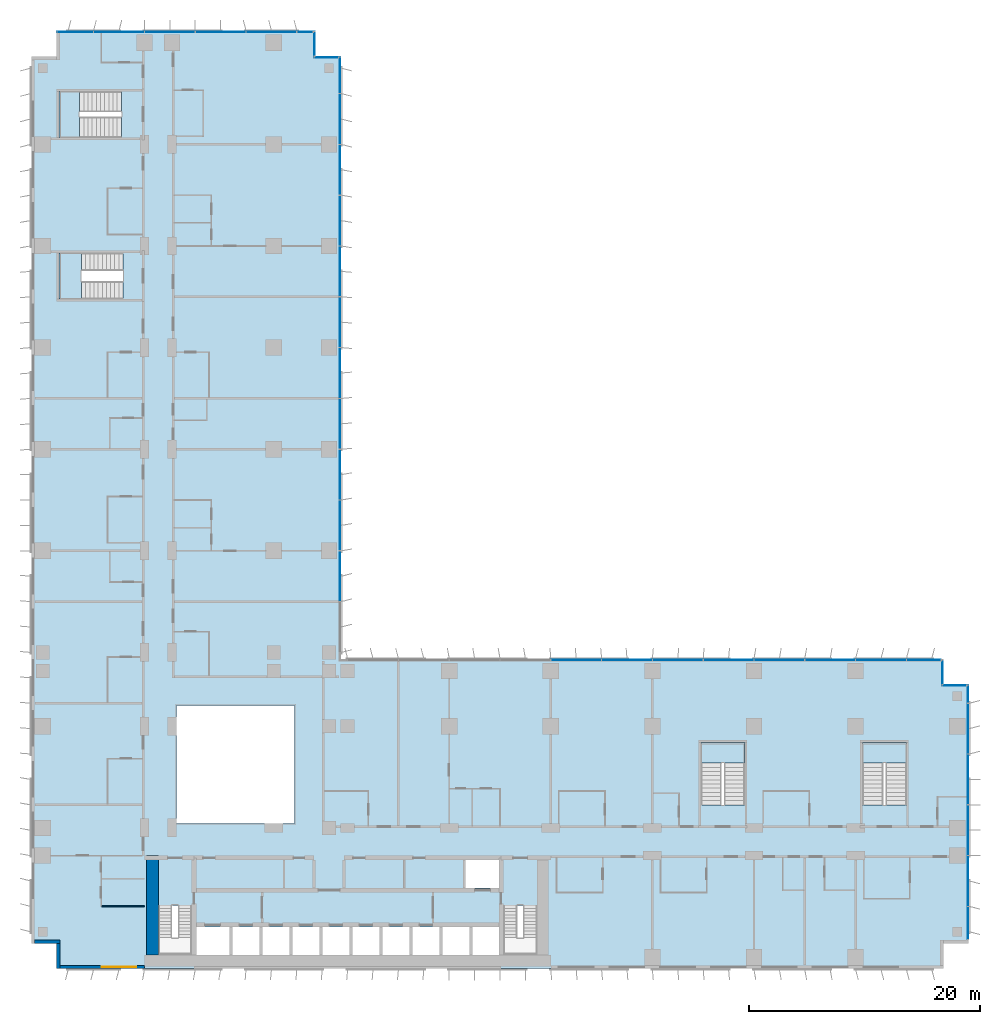
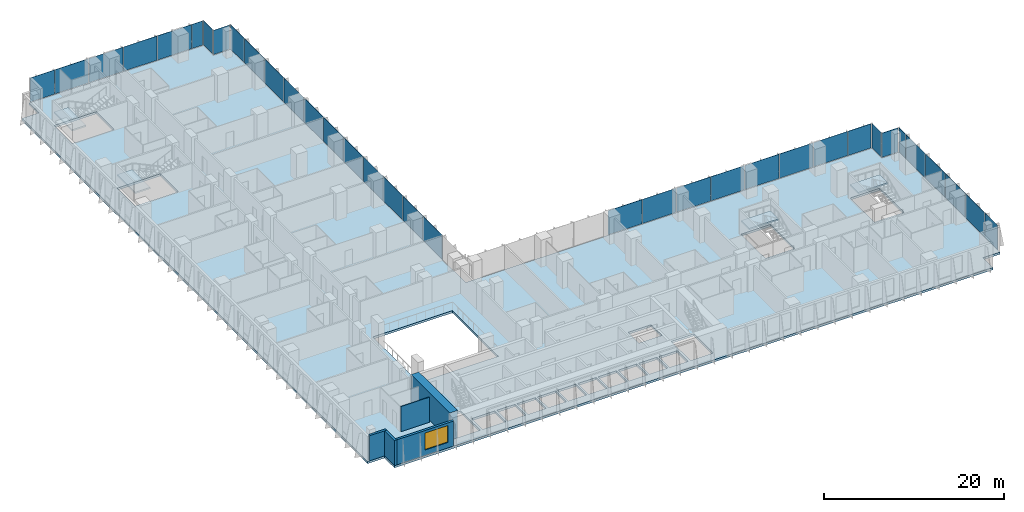
# One storey, part 11 of 24: 35 plates, 5 slabs, 5 walls, 1 window, 1 opening, 12 elements without a shape of their own.
"""IFC4 building model written with IfcOpenShell, lengths in metres."""

from ifc_helpers import new_model, si_unit, direction, frame, frame_2d, origin, origin_2d, place, context, subcontext, project, spatial, polyline, rectangle, outline, extrude, source, transform, mapped, material, layer, layer_set, type_object, element, fill, aggregate, save


model = new_model("IFC4")

# Units and contexts
model_context = context("Model", 3, precision=1e-05, world=origin(), true_north=direction((0.0, 1.0)))
body_context = subcontext(model_context, "Body", "Model", "MODEL_VIEW")
ifc_project = project(units=[si_unit("LENGTHUNIT", "METRE"), si_unit("AREAUNIT", "SQUARE_METRE"), si_unit("VOLUMEUNIT", "CUBIC_METRE"), si_unit("PLANEANGLEUNIT", "RADIAN"), si_unit("MASSUNIT", "GRAM", prefix="KILO")], contexts=[model_context])

# Site, building, storey
site_placement = place(None, origin())
site = spatial("IfcSite", under=ifc_project, at=site_placement, CompositionType="ELEMENT")
building_placement = place(site_placement, origin())
building = spatial("IfcBuilding", under=site, at=building_placement, Name="Kemantara Hotel Tower", CompositionType="ELEMENT")
storey_placement = place(building_placement, frame((0.0, 0.0, 41.39990234375)))
storey = spatial("IfcBuildingStorey", under=building, at=storey_placement, Name="L08", CompositionType="ELEMENT", Elevation=41.39990234375)

# Slab
ifc_material_1 = material(Name="Concrete fc 40 MPa", Category="concrete")
ifc_layer_1 = layer(ifc_material_1, 0.300048828125)
ifc_layer_set_1 = layer_set([ifc_layer_1], Name="Concrete fc 40 MPa")
slab_type_1 = type_object("IfcSlabType", Name="POST-TENSIONED FLAT PLATE 300", PredefinedType="FLOOR", material=ifc_layer_set_1)
slab_1_placement = place(storey_placement, frame((0.0, 0.0, -0.2998046875)))
element("IfcSlab", 1, at=slab_1_placement, inside=storey, type_object=slab_type_1, Name="FLOOR SLAB L08", PredefinedType="FLOOR", context=body_context, shape_type="SweptSolid", body=[
    extrude(outline(polyline([(0.0, 2.199951171875), (2.199951171875, 2.199951171875), (2.199951171875, 0.0), (79.0, 0.0), (79.0, 2.199951171875), (81.199951171875, 2.199951171875), (81.199951171875, 24.60009765625), (79.0, 24.60009765625), (79.0, 26.800048828125), (26.800048828125, 26.800048828125), (26.800048828125, 79.0), (24.60009765625, 79.0), (24.60009765625, 81.199951171875), (2.199951171875, 81.199951171875), (2.199951171875, 79.0), (0.0, 79.0), (0.0, 2.199951171875)]), holes=[polyline([(17.175048828125, 1.199951171875), (14.22509765625, 1.199951171875), (14.22509765625, 3.60009765625), (17.175048828125, 3.60009765625), (17.175048828125, 1.199951171875)]), polyline([(19.77490234375, 1.199951171875), (17.425048828125, 1.199951171875), (17.425048828125, 3.60009765625), (19.77490234375, 3.60009765625), (19.77490234375, 1.199951171875)]), polyline([(22.375, 1.199951171875), (20.02490234375, 1.199951171875), (20.02490234375, 3.60009765625), (22.375, 3.60009765625), (22.375, 1.199951171875)]), polyline([(24.97509765625, 1.199951171875), (22.625, 1.199951171875), (22.625, 3.60009765625), (24.97509765625, 3.60009765625), (24.97509765625, 1.199951171875)]), polyline([(27.574951171875, 1.199951171875), (25.22509765625, 1.199951171875), (25.22509765625, 3.60009765625), (27.574951171875, 3.60009765625), (27.574951171875, 1.199951171875)]), polyline([(11.0, 1.199951171875), (11.0, 5.49951171875), (13.89990234375, 5.49951171875), (13.89990234375, 1.199951171875), (11.0, 1.199951171875)]), polyline([(22.800048828125, 12.60009765625), (12.60009765625, 12.60009765625), (12.60009765625, 22.800048828125), (22.800048828125, 22.800048828125), (22.800048828125, 12.60009765625)]), polyline([(7.949462890625, 62.0), (7.949462890625, 58.0), (2.39990234375, 58.0), (2.39990234375, 62.0), (7.949462890625, 62.0)]), polyline([(7.79931640625, 76.0), (7.79931640625, 72.0), (2.39990234375, 72.0), (2.39990234375, 76.0), (7.79931640625, 76.0)]), polyline([(30.175048828125, 1.199951171875), (27.824951171875, 1.199951171875), (27.824951171875, 3.60009765625), (30.175048828125, 3.60009765625), (30.175048828125, 1.199951171875)]), polyline([(32.77490234375, 1.199951171875), (30.425048828125, 1.199951171875), (30.425048828125, 3.60009765625), (32.77490234375, 3.60009765625), (32.77490234375, 1.199951171875)]), polyline([(35.375, 1.199951171875), (33.02490234375, 1.199951171875), (33.02490234375, 3.60009765625), (35.375, 3.60009765625), (35.375, 1.199951171875)]), polyline([(37.97509765625, 1.199951171875), (35.625, 1.199951171875), (35.625, 3.60009765625), (37.97509765625, 3.60009765625), (37.97509765625, 1.199951171875)]), polyline([(40.574951171875, 1.199951171875), (38.22509765625, 1.199951171875), (38.22509765625, 3.60009765625), (40.574951171875, 3.60009765625), (40.574951171875, 1.199951171875)]), polyline([(40.89990234375, 1.199951171875), (40.89990234375, 5.49951171875), (43.800048828125, 5.49951171875), (43.800048828125, 1.199951171875), (40.89990234375, 1.199951171875)]), polyline([(40.574951171875, 7.0), (37.625, 7.0), (37.625, 9.39990234375), (40.574951171875, 9.39990234375), (40.574951171875, 7.0)]), polyline([(61.800048828125, 14.20068359375), (58.0, 14.20068359375), (58.0, 19.60009765625), (61.800048828125, 19.60009765625), (61.800048828125, 14.20068359375)]), polyline([(75.800048828125, 14.20068359375), (72.0, 14.20068359375), (72.0, 19.60009765625), (75.800048828125, 19.60009765625), (75.800048828125, 14.20068359375)])]), origin(), (0.0, 0.0, 1.0), 0.2998046875),
])

# Stair, slab
stair_type_1 = type_object("IfcStairType", Name="Stair 1800 wide 22 risers of 168 x 360 mm", PredefinedType="HALF_TURN_STAIR", material=ifc_material_1)
stair_1_placement = place(storey_placement, origin())
stair_1 = element("IfcStair", 2, at=stair_1_placement, inside=storey, type_object=stair_type_1, Name="L08 Exit stair ST3", PredefinedType="HALF_TURN_STAIR")
ifc_layer_2 = layer(ifc_material_1, 0.199951171875)
ifc_layer_set_2 = layer_set([ifc_layer_2], Name="Concrete fc 40 MPa")
slab_type_2 = type_object("IfcSlabType", Name="Stair landing 200 mm", PredefinedType="LANDING", material=ifc_layer_set_2)
slab_2_placement = place(storey_placement, frame((0.0, 0.0, 1.650146484375)))
slab_2 = element("IfcSlab", 3, at=slab_2_placement, type_object=slab_type_2, Name="ST3 landing 1", PredefinedType="LANDING", context=body_context, shape_type="SweptSolid", body=[
    extrude(outline(polyline([(61.800048828125, 17.800048828125), (61.800048828125, 19.60009765625), (58.0, 19.60009765625), (58.0, 17.800048828125), (61.800048828125, 17.800048828125)])), origin(), (0.0, 0.0, 1.0), 0.199951171875),
])
aggregate(stair_1, [slab_2])

stair_type_2 = type_object("IfcStairType", Name="Stair 1550 wide 22 risers of 168 x 360 mm", PredefinedType="HALF_TURN_STAIR", material=ifc_material_1)
stair_2_placement = place(storey_placement, origin())
stair_2 = element("IfcStair", 4, at=stair_2_placement, inside=storey, type_object=stair_type_2, Name="L08 Exit stair ST4", PredefinedType="HALF_TURN_STAIR")
slab_3_placement = place(storey_placement, frame((0.0, 0.0, 1.650146484375)))
slab_3 = element("IfcSlab", 5, at=slab_3_placement, type_object=slab_type_2, Name="ST4 landing 1", PredefinedType="LANDING", context=body_context, shape_type="SweptSolid", body=[
    extrude(outline(polyline([(4.35009765625, 62.0), (2.39990234375, 62.0), (2.39990234375, 58.0), (4.35009765625, 58.0), (4.35009765625, 62.0)])), origin(), (0.0, 0.0, 1.0), 0.199951171875),
])
aggregate(stair_2, [slab_3])

stair_3_placement = place(storey_placement, origin())
stair_3 = element("IfcStair", 6, at=stair_3_placement, inside=storey, type_object=stair_type_1, Name="L08 Exit stair ST5", PredefinedType="HALF_TURN_STAIR")
slab_4_placement = place(storey_placement, frame((0.0, 0.0, 1.650146484375)))
slab_4 = element("IfcSlab", 7, at=slab_4_placement, type_object=slab_type_2, Name="ST5 landing 1", PredefinedType="LANDING", context=body_context, shape_type="SweptSolid", body=[
    extrude(outline(polyline([(75.800048828125, 17.800048828125), (75.800048828125, 19.60009765625), (72.0, 19.60009765625), (72.0, 17.800048828125), (75.800048828125, 17.800048828125)])), origin(), (0.0, 0.0, 1.0), 0.199951171875),
])
aggregate(stair_3, [slab_4])

stair_4_placement = place(storey_placement, origin())
stair_4 = element("IfcStair", 8, at=stair_4_placement, inside=storey, type_object=stair_type_1, Name="L08 Exit stair ST6", PredefinedType="HALF_TURN_STAIR")
slab_5_placement = place(storey_placement, frame((0.0, 0.0, 1.650146484375)))
slab_5 = element("IfcSlab", 9, at=slab_5_placement, type_object=slab_type_2, Name="ST6 landing 1", PredefinedType="LANDING", context=body_context, shape_type="SweptSolid", body=[
    extrude(outline(polyline([(4.199951171875, 76.0), (2.39990234375, 76.0), (2.39990234375, 72.0), (4.199951171875, 72.0), (4.199951171875, 76.0)])), origin(), (0.0, 0.0, 1.0), 0.199951171875),
])
aggregate(stair_4, [slab_5])

# Curtain wall, plates
ifc_material_2 = material(Name="Low-E tinted double insulated glass 36 mm", Category="glass")
curtain_wall_type = type_object("IfcCurtainWallType", Name="TOWER CURTAIN WALL, FRONT FACES", PredefinedType="USERDEFINED", material=ifc_material_2)
curtain_wall_1_placement = place(storey_placement, origin())
curtain_wall_1 = element("IfcCurtainWall", 10, at=curtain_wall_1_placement, inside=storey, type_object=curtain_wall_type, Name="CW4 L08 T1-R04-1", ObjectType="TOWER CURTAIN WALL, FRONT FACES", PredefinedType="USERDEFINED")
ifc_layer_3 = layer(ifc_material_2, 0.035888671875)
ifc_layer_set_3 = layer_set([ifc_layer_3], Name="Low-E tinted double insulated glass 36 mm")
plate_type = type_object("IfcPlateType", Name="TOWER CURTAIN WALL, FRONT FACES PANEL", PredefinedType="CURTAIN_PANEL", material=ifc_layer_set_3)
shared_shape_1 = source(origin(), body_context, "Body", "SweptSolid", [
    extrude(rectangle(XDim=2.81005859375, YDim=0.035888671875, at=origin_2d()), origin(), (0.0, 0.0, 1.0), 3.280029296875),
])
plate_1_placement = place(storey_placement, frame((81.125, 3.965087890625, 0.1201171875), z_axis=(0.0, 0.0, 1.0), x_axis=(0.0, 1.0, 0.0)))
plate_1 = element("IfcPlate", 11, at=plate_1_placement, type_object=plate_type, Name="CW4 glass panel T1-R04-1.1", PredefinedType="CURTAIN_PANEL", context=body_context, shape_type="MappedRepresentation", body=[
    mapped(shared_shape_1, transform((0.0, 0.0, 0.0))),
])
shared_shape_2 = source(origin(), body_context, "Body", "SweptSolid", [
    extrude(rectangle(XDim=4.340087890625, YDim=0.035888671875, at=origin_2d()), origin(), (0.0, 0.0, 1.0), 3.280029296875),
])
plate_2_placement = place(storey_placement, frame((81.125, 7.60009765625, 0.1201171875), z_axis=(0.0, 0.0, 1.0), x_axis=(0.0, 1.0, 0.0)))
plate_2 = element("IfcPlate", 12, at=plate_2_placement, type_object=plate_type, Name="CW4 glass panel T1-R04-1.2", PredefinedType="CURTAIN_PANEL", context=body_context, shape_type="MappedRepresentation", body=[
    mapped(shared_shape_2, transform((0.0, 0.0, 0.0))),
])
plate_3_placement = place(storey_placement, frame((81.125, 12.0, 0.1201171875), z_axis=(0.0, 0.0, 1.0), x_axis=(0.0, 1.0, 0.0)))
plate_3 = element("IfcPlate", 13, at=plate_3_placement, type_object=plate_type, Name="CW4 glass panel T1-R04-1.3", PredefinedType="CURTAIN_PANEL", context=body_context, shape_type="MappedRepresentation", body=[
    mapped(shared_shape_2, transform((0.0, 0.0, 0.0))),
])
plate_4_placement = place(storey_placement, frame((81.125, 16.39990234375, 0.1201171875), z_axis=(0.0, 0.0, 1.0), x_axis=(0.0, 1.0, 0.0)))
plate_4 = element("IfcPlate", 14, at=plate_4_placement, type_object=plate_type, Name="CW4 glass panel T1-R04-1.4", PredefinedType="CURTAIN_PANEL", context=body_context, shape_type="MappedRepresentation", body=[
    mapped(shared_shape_2, transform((0.0, 0.0, 0.0))),
])
plate_5_placement = place(storey_placement, frame((81.125, 20.800048828125, 0.1201171875), z_axis=(0.0, 0.0, 1.0), x_axis=(0.0, 1.0, 0.0)))
plate_5 = element("IfcPlate", 15, at=plate_5_placement, type_object=plate_type, Name="CW4 glass panel T1-R04-1.5", PredefinedType="CURTAIN_PANEL", context=body_context, shape_type="MappedRepresentation", body=[
    mapped(shared_shape_2, transform((0.0, 0.0, 0.0))),
])

curtain_wall_2_placement = place(storey_placement, origin())
curtain_wall_2 = element("IfcCurtainWall", 16, at=curtain_wall_2_placement, inside=storey, type_object=curtain_wall_type, Name="CW4 L08 T1-R07-1", ObjectType="TOWER CURTAIN WALL, FRONT FACES", PredefinedType="USERDEFINED")
plate_6_placement = place(storey_placement, frame((73.60009765625, 26.72509765625, 0.1201171875), z_axis=(0.0, 0.0, 1.0), x_axis=(-1.0, 0.0, 0.0)))
plate_6 = element("IfcPlate", 17, at=plate_6_placement, type_object=plate_type, Name="CW4 glass panel T1-R07-1.2", PredefinedType="CURTAIN_PANEL", context=body_context, shape_type="MappedRepresentation", body=[
    mapped(shared_shape_2, transform((0.0, 0.0, 0.0))),
])
plate_7_placement = place(storey_placement, frame((69.199951171875, 26.72509765625, 0.1201171875), z_axis=(0.0, 0.0, 1.0), x_axis=(-1.0, 0.0, 0.0)))
plate_7 = element("IfcPlate", 18, at=plate_7_placement, type_object=plate_type, Name="CW4 glass panel T1-R07-1.3", PredefinedType="CURTAIN_PANEL", context=body_context, shape_type="MappedRepresentation", body=[
    mapped(shared_shape_2, transform((0.0, 0.0, 0.0))),
])
plate_8_placement = place(storey_placement, frame((64.800048828125, 26.72509765625, 0.1201171875), z_axis=(0.0, 0.0, 1.0), x_axis=(-1.0, 0.0, 0.0)))
plate_8 = element("IfcPlate", 19, at=plate_8_placement, type_object=plate_type, Name="CW4 glass panel T1-R07-1.4", PredefinedType="CURTAIN_PANEL", context=body_context, shape_type="MappedRepresentation", body=[
    mapped(shared_shape_2, transform((0.0, 0.0, 0.0))),
])
plate_9_placement = place(storey_placement, frame((60.39990234375, 26.72509765625, 0.1201171875), z_axis=(0.0, 0.0, 1.0), x_axis=(-1.0, 0.0, 0.0)))
plate_9 = element("IfcPlate", 20, at=plate_9_placement, type_object=plate_type, Name="CW4 glass panel T1-R07-1.5", PredefinedType="CURTAIN_PANEL", context=body_context, shape_type="MappedRepresentation", body=[
    mapped(shared_shape_2, transform((0.0, 0.0, 0.0))),
])
plate_10_placement = place(storey_placement, frame((56.0, 26.72509765625, 0.1201171875), z_axis=(0.0, 0.0, 1.0), x_axis=(-1.0, 0.0, 0.0)))
plate_10 = element("IfcPlate", 21, at=plate_10_placement, type_object=plate_type, Name="CW4 glass panel T1-R07-1.6", PredefinedType="CURTAIN_PANEL", context=body_context, shape_type="MappedRepresentation", body=[
    mapped(shared_shape_2, transform((0.0, 0.0, 0.0))),
])
plate_11_placement = place(storey_placement, frame((51.60009765625, 26.72509765625, 0.1201171875), z_axis=(0.0, 0.0, 1.0), x_axis=(-1.0, 0.0, 0.0)))
plate_11 = element("IfcPlate", 22, at=plate_11_placement, type_object=plate_type, Name="CW4 glass panel T1-R07-1.7", PredefinedType="CURTAIN_PANEL", context=body_context, shape_type="MappedRepresentation", body=[
    mapped(shared_shape_2, transform((0.0, 0.0, 0.0))),
])
plate_12_placement = place(storey_placement, frame((47.199951171875, 26.72509765625, 0.1201171875), z_axis=(0.0, 0.0, 1.0), x_axis=(-1.0, 0.0, 0.0)))
plate_12 = element("IfcPlate", 23, at=plate_12_placement, type_object=plate_type, Name="CW4 glass panel T1-R07-1.8", PredefinedType="CURTAIN_PANEL", context=body_context, shape_type="MappedRepresentation", body=[
    mapped(shared_shape_2, transform((0.0, 0.0, 0.0))),
])

curtain_wall_3_placement = place(storey_placement, origin())
curtain_wall_3 = element("IfcCurtainWall", 24, at=curtain_wall_3_placement, inside=storey, type_object=curtain_wall_type, Name="CW4 L08 T1-R08-1", ObjectType="TOWER CURTAIN WALL, FRONT FACES", PredefinedType="USERDEFINED")
plate_13_placement = place(storey_placement, frame((26.72509765625, 34.0, 0.1201171875), z_axis=(0.0, 0.0, 1.0), x_axis=(0.0, 1.0, 0.0)))
plate_13 = element("IfcPlate", 25, at=plate_13_placement, type_object=plate_type, Name="CW4 glass panel T1-R08-1.3", PredefinedType="CURTAIN_PANEL", context=body_context, shape_type="MappedRepresentation", body=[
    mapped(shared_shape_2, transform((0.0, 0.0, 0.0))),
])
plate_14_placement = place(storey_placement, frame((26.72509765625, 38.39990234375, 0.1201171875), z_axis=(0.0, 0.0, 1.0), x_axis=(0.0, 1.0, 0.0)))
plate_14 = element("IfcPlate", 26, at=plate_14_placement, type_object=plate_type, Name="CW4 glass panel T1-R08-1.4", PredefinedType="CURTAIN_PANEL", context=body_context, shape_type="MappedRepresentation", body=[
    mapped(shared_shape_2, transform((0.0, 0.0, 0.0))),
])
plate_15_placement = place(storey_placement, frame((26.72509765625, 42.800048828125, 0.1201171875), z_axis=(0.0, 0.0, 1.0), x_axis=(0.0, 1.0, 0.0)))
plate_15 = element("IfcPlate", 27, at=plate_15_placement, type_object=plate_type, Name="CW4 glass panel T1-R08-1.5", PredefinedType="CURTAIN_PANEL", context=body_context, shape_type="MappedRepresentation", body=[
    mapped(shared_shape_2, transform((0.0, 0.0, 0.0))),
])
plate_16_placement = place(storey_placement, frame((26.72509765625, 47.199951171875, 0.1201171875), z_axis=(0.0, 0.0, 1.0), x_axis=(0.0, 1.0, 0.0)))
plate_16 = element("IfcPlate", 28, at=plate_16_placement, type_object=plate_type, Name="CW4 glass panel T1-R08-1.6", PredefinedType="CURTAIN_PANEL", context=body_context, shape_type="MappedRepresentation", body=[
    mapped(shared_shape_2, transform((0.0, 0.0, 0.0))),
])
plate_17_placement = place(storey_placement, frame((26.72509765625, 51.60009765625, 0.1201171875), z_axis=(0.0, 0.0, 1.0), x_axis=(0.0, 1.0, 0.0)))
plate_17 = element("IfcPlate", 29, at=plate_17_placement, type_object=plate_type, Name="CW4 glass panel T1-R08-1.7", PredefinedType="CURTAIN_PANEL", context=body_context, shape_type="MappedRepresentation", body=[
    mapped(shared_shape_2, transform((0.0, 0.0, 0.0))),
])
plate_18_placement = place(storey_placement, frame((26.72509765625, 56.0, 0.1201171875), z_axis=(0.0, 0.0, 1.0), x_axis=(0.0, 1.0, 0.0)))
plate_18 = element("IfcPlate", 30, at=plate_18_placement, type_object=plate_type, Name="CW4 glass panel T1-R08-1.8", PredefinedType="CURTAIN_PANEL", context=body_context, shape_type="MappedRepresentation", body=[
    mapped(shared_shape_2, transform((0.0, 0.0, 0.0))),
])
plate_19_placement = place(storey_placement, frame((26.72509765625, 60.39990234375, 0.1201171875), z_axis=(0.0, 0.0, 1.0), x_axis=(0.0, 1.0, 0.0)))
plate_19 = element("IfcPlate", 31, at=plate_19_placement, type_object=plate_type, Name="CW4 glass panel T1-R08-1.9", PredefinedType="CURTAIN_PANEL", context=body_context, shape_type="MappedRepresentation", body=[
    mapped(shared_shape_2, transform((0.0, 0.0, 0.0))),
])
plate_20_placement = place(storey_placement, frame((26.72509765625, 64.800048828125, 0.1201171875), z_axis=(0.0, 0.0, 1.0), x_axis=(0.0, 1.0, 0.0)))
plate_20 = element("IfcPlate", 32, at=plate_20_placement, type_object=plate_type, Name="CW4 glass panel T1-R08-1.10", PredefinedType="CURTAIN_PANEL", context=body_context, shape_type="MappedRepresentation", body=[
    mapped(shared_shape_2, transform((0.0, 0.0, 0.0))),
])
plate_21_placement = place(storey_placement, frame((26.72509765625, 69.199951171875, 0.1201171875), z_axis=(0.0, 0.0, 1.0), x_axis=(0.0, 1.0, 0.0)))
plate_21 = element("IfcPlate", 33, at=plate_21_placement, type_object=plate_type, Name="CW4 glass panel T1-R08-1.11", PredefinedType="CURTAIN_PANEL", context=body_context, shape_type="MappedRepresentation", body=[
    mapped(shared_shape_2, transform((0.0, 0.0, 0.0))),
])
plate_22_placement = place(storey_placement, frame((26.72509765625, 73.60009765625, 0.1201171875), z_axis=(0.0, 0.0, 1.0), x_axis=(0.0, 1.0, 0.0)))
plate_22 = element("IfcPlate", 34, at=plate_22_placement, type_object=plate_type, Name="CW4 glass panel T1-R08-1.12", PredefinedType="CURTAIN_PANEL", context=body_context, shape_type="MappedRepresentation", body=[
    mapped(shared_shape_2, transform((0.0, 0.0, 0.0))),
])

curtain_wall_4_placement = place(storey_placement, origin())
curtain_wall_4 = element("IfcCurtainWall", 35, at=curtain_wall_4_placement, inside=storey, type_object=curtain_wall_type, Name="CW4 L08 T1-R11-1", ObjectType="TOWER CURTAIN WALL, FRONT FACES", PredefinedType="USERDEFINED")
plate_23_placement = place(storey_placement, frame((20.800048828125, 81.125, 0.1201171875), z_axis=(0.0, 0.0, 1.0), x_axis=(-1.0, 0.0, 0.0)))
plate_23 = element("IfcPlate", 36, at=plate_23_placement, type_object=plate_type, Name="CW4 glass panel T1-R11-1.2", PredefinedType="CURTAIN_PANEL", context=body_context, shape_type="MappedRepresentation", body=[
    mapped(shared_shape_2, transform((0.0, 0.0, 0.0))),
])
plate_24_placement = place(storey_placement, frame((16.39990234375, 81.125, 0.1201171875), z_axis=(0.0, 0.0, 1.0), x_axis=(-1.0, 0.0, 0.0)))
plate_24 = element("IfcPlate", 37, at=plate_24_placement, type_object=plate_type, Name="CW4 glass panel T1-R11-1.3", PredefinedType="CURTAIN_PANEL", context=body_context, shape_type="MappedRepresentation", body=[
    mapped(shared_shape_2, transform((0.0, 0.0, 0.0))),
])
plate_25_placement = place(storey_placement, frame((12.0, 81.125, 0.1201171875), z_axis=(0.0, 0.0, 1.0), x_axis=(-1.0, 0.0, 0.0)))
plate_25 = element("IfcPlate", 38, at=plate_25_placement, type_object=plate_type, Name="CW4 glass panel T1-R11-1.4", PredefinedType="CURTAIN_PANEL", context=body_context, shape_type="MappedRepresentation", body=[
    mapped(shared_shape_2, transform((0.0, 0.0, 0.0))),
])
plate_26_placement = place(storey_placement, frame((7.60009765625, 81.125, 0.1201171875), z_axis=(0.0, 0.0, 1.0), x_axis=(-1.0, 0.0, 0.0)))
plate_26 = element("IfcPlate", 39, at=plate_26_placement, type_object=plate_type, Name="CW4 glass panel T1-R11-1.5", PredefinedType="CURTAIN_PANEL", context=body_context, shape_type="MappedRepresentation", body=[
    mapped(shared_shape_2, transform((0.0, 0.0, 0.0))),
])

# Plate
shared_shape_3 = source(origin(), body_context, "Body", "SweptSolid", [
    extrude(rectangle(XDim=1.510009765625, YDim=0.035888671875, at=origin_2d()), origin(), (0.0, 0.0, 1.0), 3.280029296875),
])
plate_27_placement = place(storey_placement, frame((81.125, 23.784912109375, 0.1201171875), z_axis=(0.0, 0.0, 1.0), x_axis=(0.0, 1.0, 0.0)))
plate_27 = element("IfcPlate", 40, at=plate_27_placement, type_object=plate_type, Name="CW4 glass panel T1-R04-1.6", PredefinedType="CURTAIN_PANEL", context=body_context, shape_type="MappedRepresentation", body=[
    mapped(shared_shape_3, transform((0.0, 0.0, 0.0))),
])

aggregate(curtain_wall_1, [plate_1, plate_2, plate_3, plate_4, plate_5, plate_27])

shared_shape_4 = source(origin(), body_context, "Body", "SweptSolid", [
    extrude(rectangle(XDim=1.360107421875, YDim=0.035888671875, at=origin_2d()), origin(), (0.0, 0.0, 1.0), 3.280029296875),
])
plate_28_placement = place(storey_placement, frame((23.7099609375, 81.125, 0.1201171875), z_axis=(0.0, 0.0, 1.0), x_axis=(-1.0, 0.0, 0.0)))
plate_28 = element("IfcPlate", 41, at=plate_28_placement, type_object=plate_type, Name="CW4 glass panel T1-R11-1.1", PredefinedType="CURTAIN_PANEL", context=body_context, shape_type="MappedRepresentation", body=[
    mapped(shared_shape_4, transform((0.0, 0.0, 0.0))),
])

shared_shape_5 = source(origin(), body_context, "Body", "SweptSolid", [
    extrude(rectangle(XDim=3.110107421875, YDim=0.035888671875, at=origin_2d()), origin(), (0.0, 0.0, 1.0), 3.280029296875),
])
plate_29_placement = place(storey_placement, frame((26.72509765625, 77.385009765625, 0.1201171875), z_axis=(0.0, 0.0, 1.0), x_axis=(0.0, 1.0, 0.0)))
plate_29 = element("IfcPlate", 42, at=plate_29_placement, type_object=plate_type, Name="CW4 glass panel T1-R08-1.13", PredefinedType="CURTAIN_PANEL", context=body_context, shape_type="MappedRepresentation", body=[
    mapped(shared_shape_5, transform((0.0, 0.0, 0.0))),
])

aggregate(curtain_wall_3, [plate_13, plate_14, plate_15, plate_16, plate_17, plate_18, plate_19, plate_20, plate_21, plate_22, plate_29])

plate_30_placement = place(storey_placement, frame((3.81494140625, 81.125, 0.1201171875), z_axis=(0.0, 0.0, 1.0), x_axis=(-1.0, 0.0, 0.0)))
plate_30 = element("IfcPlate", 43, at=plate_30_placement, type_object=plate_type, Name="CW4 glass panel T1-R11-1.6", PredefinedType="CURTAIN_PANEL", context=body_context, shape_type="MappedRepresentation", body=[
    mapped(shared_shape_5, transform((0.0, 0.0, 0.0))),
])

aggregate(curtain_wall_4, [plate_28, plate_23, plate_24, plate_25, plate_26, plate_30])

# Curtain wall, plate
curtain_wall_5_placement = place(storey_placement, origin())
curtain_wall_5 = element("IfcCurtainWall", 44, at=curtain_wall_5_placement, inside=storey, type_object=curtain_wall_type, Name="CW4 L08 T1-R05-1", ObjectType="TOWER CURTAIN WALL, FRONT FACES", PredefinedType="USERDEFINED")
shared_shape_6 = source(origin(), body_context, "Body", "SweptSolid", [
    extrude(rectangle(XDim=2.080078125, YDim=0.035888671875, at=origin_2d()), origin(), (0.0, 0.0, 1.0), 3.280029296875),
])
plate_31_placement = place(storey_placement, frame((79.949951171875, 24.52490234375, 0.1201171875), z_axis=(0.0, 0.0, 1.0), x_axis=(-1.0, 0.0, 0.0)))
plate_31 = element("IfcPlate", 45, at=plate_31_placement, type_object=plate_type, Name="CW4 glass panel T1-R05-1.1", PredefinedType="CURTAIN_PANEL", context=body_context, shape_type="MappedRepresentation", body=[
    mapped(shared_shape_6, transform((0.0, 0.0, 0.0))),
])
aggregate(curtain_wall_5, [plate_31])

curtain_wall_6_placement = place(storey_placement, origin())
curtain_wall_6 = element("IfcCurtainWall", 46, at=curtain_wall_6_placement, inside=storey, type_object=curtain_wall_type, Name="CW4 L08 T1-R06-1", ObjectType="TOWER CURTAIN WALL, FRONT FACES", PredefinedType="USERDEFINED")
plate_32_placement = place(storey_placement, frame((78.925048828125, 25.699951171875, 0.1201171875), z_axis=(0.0, 0.0, 1.0), x_axis=(0.0, 1.0, 0.0)))
plate_32 = element("IfcPlate", 47, at=plate_32_placement, type_object=plate_type, Name="CW4 glass panel T1-R06-1.1", PredefinedType="CURTAIN_PANEL", context=body_context, shape_type="MappedRepresentation", body=[
    mapped(shared_shape_6, transform((0.0, 0.0, 0.0))),
])
aggregate(curtain_wall_6, [plate_32])

curtain_wall_7_placement = place(storey_placement, origin())
curtain_wall_7 = element("IfcCurtainWall", 48, at=curtain_wall_7_placement, inside=storey, type_object=curtain_wall_type, Name="CW4 L08 T1-R09-1", ObjectType="TOWER CURTAIN WALL, FRONT FACES", PredefinedType="USERDEFINED")
plate_33_placement = place(storey_placement, frame((25.550048828125, 78.925048828125, 0.1201171875), z_axis=(0.0, 0.0, 1.0), x_axis=(-1.0, 0.0, 0.0)))
plate_33 = element("IfcPlate", 49, at=plate_33_placement, type_object=plate_type, Name="CW4 glass panel T1-R09-1.1", PredefinedType="CURTAIN_PANEL", context=body_context, shape_type="MappedRepresentation", body=[
    mapped(shared_shape_6, transform((0.0, 0.0, 0.0))),
])
aggregate(curtain_wall_7, [plate_33])

curtain_wall_8_placement = place(storey_placement, origin())
curtain_wall_8 = element("IfcCurtainWall", 50, at=curtain_wall_8_placement, inside=storey, type_object=curtain_wall_type, Name="CW4 L08 T1-R10-1", ObjectType="TOWER CURTAIN WALL, FRONT FACES", PredefinedType="USERDEFINED")
plate_34_placement = place(storey_placement, frame((24.52490234375, 80.10009765625, 0.1201171875), z_axis=(0.0, 0.0, 1.0), x_axis=(0.0, 1.0, 0.0)))
plate_34 = element("IfcPlate", 51, at=plate_34_placement, type_object=plate_type, Name="CW4 glass panel T1-R10-1.1", PredefinedType="CURTAIN_PANEL", context=body_context, shape_type="MappedRepresentation", body=[
    mapped(shared_shape_6, transform((0.0, 0.0, 0.0))),
])
aggregate(curtain_wall_8, [plate_34])

# Plate
shared_shape_7 = source(origin(), body_context, "Body", "SweptSolid", [
    extrude(rectangle(XDim=2.9599609375, YDim=0.035888671875, at=origin_2d()), origin(), (0.0, 0.0, 1.0), 3.280029296875),
])
plate_35_placement = place(storey_placement, frame((77.31005859375, 26.72509765625, 0.1201171875), z_axis=(0.0, 0.0, 1.0), x_axis=(-1.0, 0.0, 0.0)))
plate_35 = element("IfcPlate", 52, at=plate_35_placement, type_object=plate_type, Name="CW4 glass panel T1-R07-1.1", PredefinedType="CURTAIN_PANEL", context=body_context, shape_type="MappedRepresentation", body=[
    mapped(shared_shape_7, transform((0.0, 0.0, 0.0))),
])

aggregate(curtain_wall_2, [plate_35, plate_6, plate_7, plate_8, plate_9, plate_10, plate_11, plate_12])

# Wall
ifc_material_3 = material(Name="Bronze anodised aluminium cladding on insulated steel stud wall", Category="steel")
ifc_layer_4 = layer(ifc_material_3, 0.300048828125)
ifc_layer_set_4 = layer_set([ifc_layer_4], Name="Bronze anodised aluminium cladding on insulated steel stud wall")
wall_type_1 = type_object("IfcWallType", Name="BRONZE METAL-CLAD EXTERNAL WALL 300", PredefinedType="STANDARD", material=ifc_layer_set_4)
wall_1_placement = place(storey_placement, frame((2.35009765625, 2.199951171875, 0.0), z_axis=(0.0, 0.0, 1.0), x_axis=(0.0, -1.0, 0.0)))
element("IfcWall", 53, at=wall_1_placement, inside=storey, type_object=wall_type_1, Name="EXTERNAL WALL L08 T1-R00", PredefinedType="STANDARD", context=body_context, shape_type="SweptSolid", body=[
    extrude(rectangle(XDim=2.199951171875, YDim=0.300048828125, at=frame_2d((1.10009765625, 0.0))), origin(), (0.0, 0.0, 1.0), 3.400146484375),
])

# Wall, opening, window
wall_2_placement = place(storey_placement, frame((2.5, 0.14990234375, 0.0), z_axis=(0.0, 0.0, 1.0), x_axis=(1.0, 0.0, 0.0)))
wall_2 = element("IfcWall", 54, at=wall_2_placement, inside=storey, type_object=wall_type_1, Name="EXTERNAL WALL L08 T1-R01", PredefinedType="STANDARD", context=body_context, shape_type="SweptSolid", body=[
    extrude(rectangle(XDim=7.300048828125, YDim=0.300048828125, at=frame_2d((3.64990234375, 0.0))), origin(), (0.0, 0.0, 1.0), 3.400146484375),
])
opening_placement = place(wall_2_placement, frame((3.60009765625, 0.0, 0.75)))
opening = element("IfcOpeningElement", 55, at=opening_placement, cuts=wall_2, Name="Opening W1", PredefinedType="OPENING", context=body_context, shape_type="SweptSolid", body=[
    extrude(rectangle(XDim=3.0, YDim=2.300048828125, at=frame_2d((1.5, 1.14990234375))), frame((0.0, 0.159912109375, 0.0), z_axis=(0.0, -1.0, 0.0), x_axis=(1.0, 0.0, 0.0)), (0.0, 0.0, 1.0), 0.320068359375),
])
ifc_material_4 = material(Name="Low-E tinted double insulated glass in bronze anodised aluminium frame", Category="aluminium")
window_type = type_object("IfcWindowType", Name="CHICAGO WINDOW, TRIPLE PANEL 3000x2300", PartitioningType="TRIPLE_PANEL_VERTICAL", PredefinedType="WINDOW", material=ifc_material_4)
window_placement = place(opening_placement, origin())
window = element("IfcWindow", 56, at=window_placement, inside=storey, type_object=window_type, Name="CHICAGO WINDOW L08 T1-R01-54", OverallHeight=2.300048828125, OverallWidth=3.0, PartitioningType="SINGLE_PANEL", PredefinedType="WINDOW", context=body_context, shape_type="SweptSolid", body=[
    extrude(rectangle(XDim=3.0, YDim=2.300048828125, at=frame_2d((1.5, 1.14990234375))), frame((0.0, 0.030029296875, 0.0), z_axis=(0.0, -1.0, 0.0), x_axis=(1.0, 0.0, 0.0)), (0.0, 0.0, 1.0), 0.06005859375),
])
fill(opening, window)

# Walls
wall_3_placement = place(storey_placement, frame((0.300048828125, 2.35009765625, 0.0), z_axis=(0.0, 0.0, 1.0), x_axis=(1.0, 0.0, 0.0)))
element("IfcWall", 57, at=wall_3_placement, inside=storey, type_object=wall_type_1, Name="EXTERNAL WALL L08 T1-R15", PredefinedType="STANDARD", context=body_context, shape_type="SweptSolid", body=[
    extrude(rectangle(XDim=2.199951171875, YDim=0.300048828125, at=frame_2d((1.10009765625, 0.0))), origin(), (0.0, 0.0, 1.0), 3.400146484375),
])
ifc_material_5 = material(Name="Concrete fc 70 MPa", Category="concrete")
ifc_layer_5 = layer(ifc_material_5, 1.0)
ifc_layer_set_5 = layer_set([ifc_layer_5], Name="Concrete fc 70 MPa")
wall_type_2 = type_object("IfcWallType", Name="CORE WALL 1000 FC70", PredefinedType="SHEAR", material=ifc_layer_set_5)
wall_4_placement = place(storey_placement, frame((10.5, 1.199951171875, 0.0), z_axis=(0.0, 0.0, 1.0), x_axis=(0.0, 1.0, 0.0)))
element("IfcWall", 58, at=wall_4_placement, inside=storey, type_object=wall_type_2, Name="CORE WALL CW-W", PredefinedType="SHEAR", context=body_context, shape_type="SweptSolid", body=[
    extrude(rectangle(XDim=8.60009765625, YDim=1.0, at=frame_2d((4.300048828125, 0.0))), origin(), (0.0, 0.0, 1.0), 3.7001953125),
])
ifc_material_6 = material(Name="Gypsum board partition on steel studs, 100 mm", Category="steel")
ifc_layer_6 = layer(ifc_material_6, 0.10009765625)
ifc_layer_set_6 = layer_set([ifc_layer_6], Name="Gypsum board partition on steel studs, 100 mm")
wall_type_3 = type_object("IfcWallType", Name="ROOM PARTITION 100", PredefinedType="PARTITIONING", material=ifc_layer_set_6)
wall_5_placement = place(storey_placement, frame((6.10009765625, 5.39990234375, 0.0), z_axis=(0.0, 0.0, 1.0), x_axis=(1.0, 0.0, 0.0)))
element("IfcWall", 59, at=wall_5_placement, inside=storey, type_object=wall_type_3, Name="ROOM PARTITION 100 089", PredefinedType="PARTITIONING", context=body_context, shape_type="SweptSolid", body=[
    extrude(rectangle(XDim=3.69970703125, YDim=0.10009765625, at=frame_2d((1.849853515625, 0.0))), origin(), (0.0, 0.0, 1.0), 3.400146484375),
])

save(model, "model.ifc")
